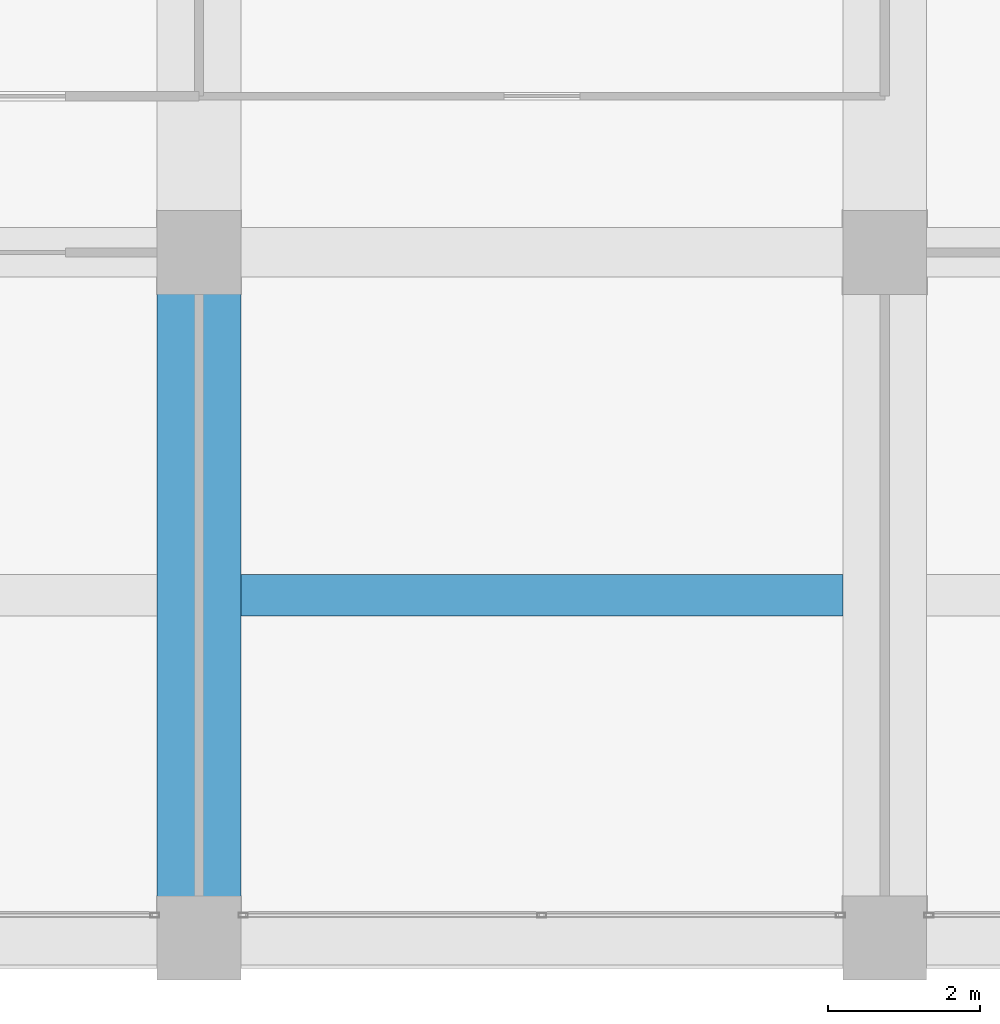
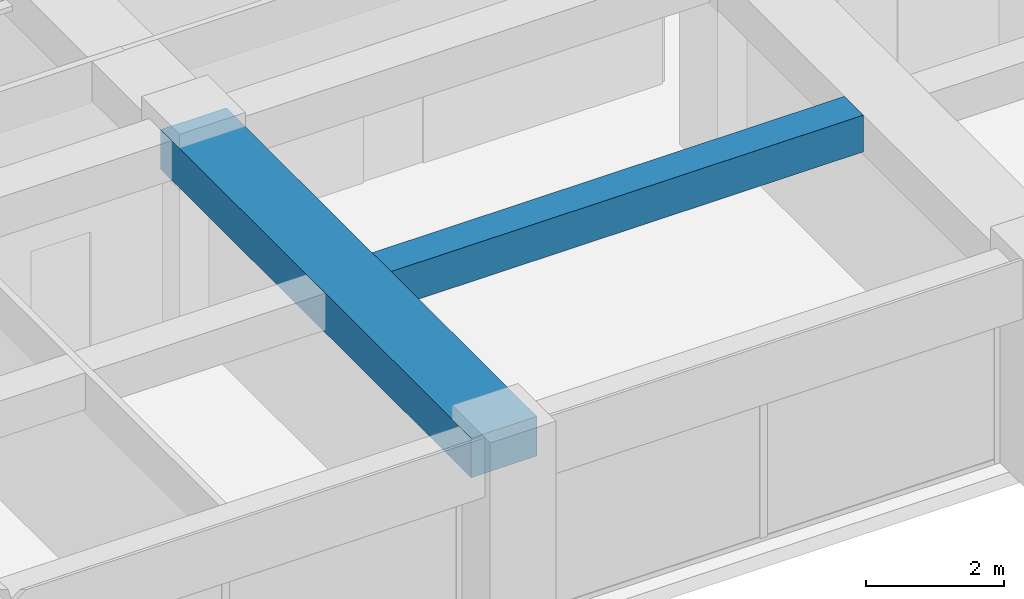
# One storey, part 10 of 45: 2 beams.
"""IFC4 building model written with IfcOpenShell, lengths in metres."""

from ifc_helpers import new_model, si_unit, direction, frame, origin, origin_2d, place, context, subcontext, project, spatial, rectangle, extrude, material, material_profile, profile_set, type_object, element, save


model = new_model("IFC4")

# Units and contexts
model_context = context("Model", 3, precision=1e-05, world=origin(), true_north=direction((0.0, 1.0)))
body_context = subcontext(model_context, "Body", "Model", "MODEL_VIEW")
ifc_project = project(units=[si_unit("LENGTHUNIT", "METRE"), si_unit("AREAUNIT", "SQUARE_METRE"), si_unit("VOLUMEUNIT", "CUBIC_METRE"), si_unit("PLANEANGLEUNIT", "RADIAN"), si_unit("MASSUNIT", "GRAM", prefix="KILO")], contexts=[model_context])

# Site, building, storey
site_placement = place(None, origin())
site = spatial("IfcSite", under=ifc_project, at=site_placement, CompositionType="ELEMENT")
building_placement = place(site_placement, origin())
building = spatial("IfcBuilding", under=site, at=building_placement, Name="Zorevar Civic Tower", CompositionType="ELEMENT")
storey_placement = place(building_placement, frame((0.0, 0.0, 303.39990234375)))
storey = spatial("IfcBuildingStorey", under=building, at=storey_placement, Name="L74", CompositionType="ELEMENT", Elevation=303.39990234375)

# Beams
ifc_material_1 = material(Name="Concrete C50/60", Category="concrete")
ifc_material_profile_1 = material_profile(ifc_material_1, rectangle(XDim=1.10009765625, YDim=0.699951171875, at=origin_2d()), Name="RC 1100x700")
ifc_profile_set_1 = profile_set([ifc_material_profile_1], Name="Concrete C50/60")
beam_type_1 = type_object("IfcBeamType", Name="Beam RC 1100x700", PredefinedType="BEAM", material=ifc_profile_set_1)
beam_1_placement = place(storey_placement, frame((27.0, 0.0, 3.400146484375), z_axis=(0.0, 1.0, 0.0), x_axis=(-1.0, 0.0, 0.0)))
element("IfcBeam", 1, at=beam_1_placement, inside=storey, type_object=beam_type_1, Name="Girder L75", PredefinedType="BEAM", context=body_context, shape_type="SweptSolid", body=[
    extrude(rectangle(XDim=1.10009765625, YDim=0.699951171875, at=origin_2d()), origin(), (0.0, 0.0, 1.0), 9.0),
])
ifc_material_2 = material(Name="Concrete C50/60", Category="concrete")
ifc_material_profile_2 = material_profile(ifc_material_2, rectangle(XDim=0.550048828125, YDim=0.64990234375, at=origin_2d()), Name="RC 550x650")
ifc_profile_set_2 = profile_set([ifc_material_profile_2], Name="Concrete C50/60")
beam_type_2 = type_object("IfcBeamType", Name="Beam RC 550x650", PredefinedType="BEAM", material=ifc_profile_set_2)
beam_2_placement = place(storey_placement, frame((27.550048828125, 4.5, 3.425048828125), z_axis=(1.0, 0.0, 0.0), x_axis=(0.0, 1.0, 0.0)))
element("IfcBeam", 2, at=beam_2_placement, inside=storey, type_object=beam_type_2, Name="Secondary beam L75", PredefinedType="BEAM", context=body_context, shape_type="SweptSolid", body=[
    extrude(rectangle(XDim=0.550048828125, YDim=0.64990234375, at=origin_2d()), origin(), (0.0, 0.0, 1.0), 7.89990234375),
])

save(model, "model.ifc")
